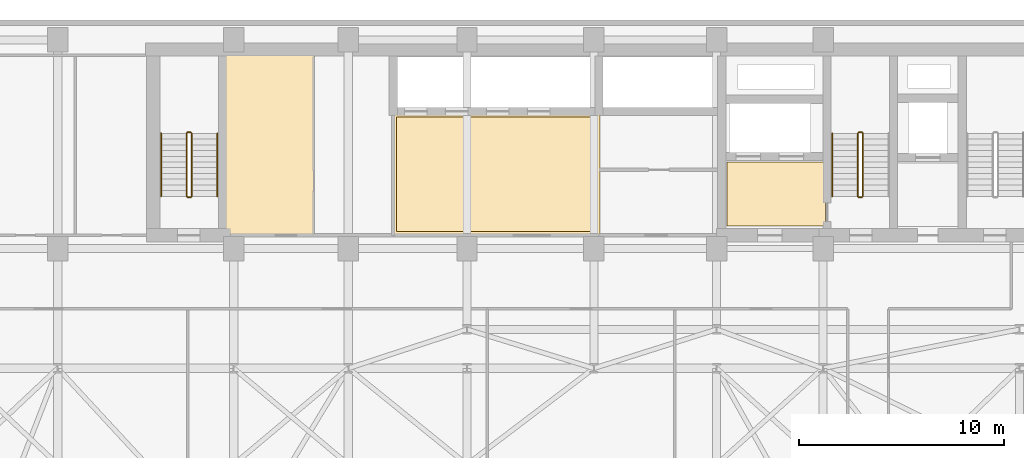
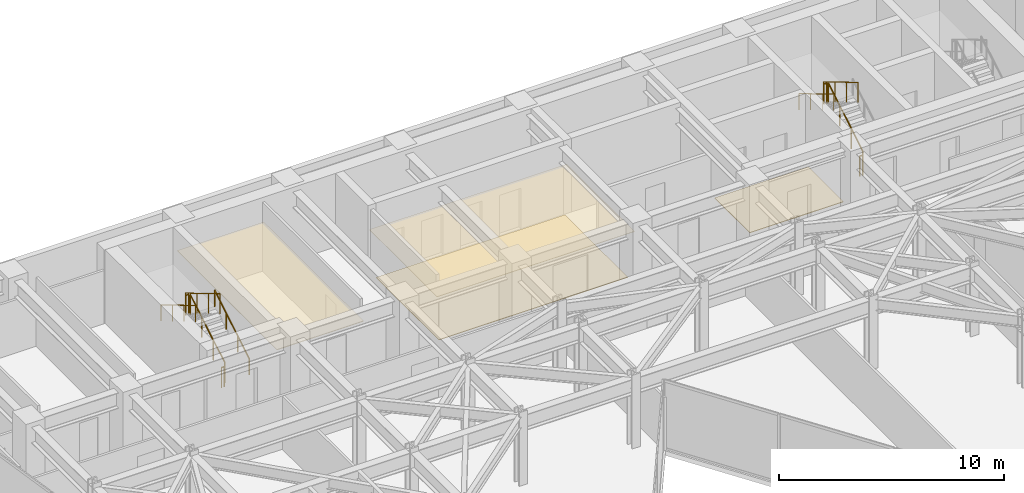
# One storey, part 25 of 26: 11 railings, 4 coverings.
"""IFC4 building model written with IfcOpenShell, lengths in metres."""

from ifc_helpers import new_model, si_unit, direction, frame, origin, origin_2d, place, context, subcontext, project, spatial, polyline, circle, outline, extrude, material, layer, layer_set, type_object, element, save


model = new_model("IFC4")

# Units and contexts
model_context = context("Model", 3, precision=1e-05, world=origin(), true_north=direction((0.0, 1.0)))
body_context = subcontext(model_context, "Body", "Model", "MODEL_VIEW")
ifc_project = project(units=[si_unit("LENGTHUNIT", "METRE"), si_unit("AREAUNIT", "SQUARE_METRE"), si_unit("VOLUMEUNIT", "CUBIC_METRE"), si_unit("PLANEANGLEUNIT", "RADIAN"), si_unit("MASSUNIT", "GRAM", prefix="KILO")], contexts=[model_context])

# Site, building, storey
site_placement = place(None, origin())
site = spatial("IfcSite", under=ifc_project, at=site_placement, CompositionType="ELEMENT")
building_placement = place(site_placement, origin())
building = spatial("IfcBuilding", under=site, at=building_placement, Name="Kravanh Interchange Tower", CompositionType="ELEMENT")
storey_placement = place(building_placement, frame((0.0, 0.0, 108.0)))
storey = spatial("IfcBuildingStorey", under=building, at=storey_placement, Name="L25", CompositionType="ELEMENT", Elevation=108.0)

# Coverings
ifc_material_1 = material(Name="Cementitious Terrazzo Tile")
ifc_layer_1 = layer(ifc_material_1, 0.030029296875)
ifc_layer_set_1 = layer_set([ifc_layer_1], Name="Honed Terrazzo Lobby Flooring 30mm")
covering_type_1 = type_object("IfcCoveringType", Name="Honed Terrazzo Lobby Flooring 30mm", PredefinedType="FLOORING", material=ifc_layer_set_1)
covering_1_placement = place(storey_placement, origin())
element("IfcCovering", 1, at=covering_1_placement, inside=storey, type_object=covering_type_1, Name="L25 Firefighting Lobby Floor Finish", PredefinedType="FLOORING", context=body_context, shape_type="SweptSolid", body=[
    extrude(outline(polyline([(56.1201171875, 38.4599609375), (51.300048828125, 38.4599609375), (51.300048828125, 41.580078125), (56.1201171875, 41.580078125), (56.1201171875, 38.4599609375)])), origin(), (0.0, 0.0, 1.0), 0.030029296875),
])
covering_2_placement = place(storey_placement, origin())
element("IfcCovering", 2, at=covering_2_placement, inside=storey, type_object=covering_type_1, Name="L25 Mid-Rise Lift Lobby Floor Finish", PredefinedType="FLOORING", context=body_context, shape_type="SweptSolid", body=[
    extrude(outline(polyline([(35.159912109375, 43.77001953125), (44.8701171875, 43.77001953125), (44.8701171875, 38.179931640625), (35.159912109375, 38.179931640625), (35.159912109375, 43.77001953125)])), origin(), (0.0, 0.0, 1.0), 0.030029296875),
])
ifc_material_2 = material(Name="Anodised Bronze Aluminium Acoustic Baffle", Category="aluminium")
ifc_layer_2 = layer(ifc_material_2, 0.034912109375)
ifc_layer_set_2 = layer_set([ifc_layer_2], Name="Linear Bronze Baffle Feature Ceiling 35mm")
covering_type_2 = type_object("IfcCoveringType", Name="Linear Bronze Baffle Feature Ceiling 35mm", PredefinedType="CEILING", material=ifc_layer_set_2)
covering_3_placement = place(storey_placement, frame((0.0, 0.0, 2.550048828125)))
element("IfcCovering", 3, at=covering_3_placement, inside=storey, type_object=covering_type_2, Name="L25 Regional IT Server Suite Suspended Ceiling", PredefinedType="CEILING", context=body_context, shape_type="SweptSolid", body=[
    extrude(outline(polyline([(31.159912109375, 37.9599609375), (26.7099609375, 37.9599609375), (26.7099609375, 46.840087890625), (31.159912109375, 46.840087890625), (31.159912109375, 37.9599609375)])), origin(), (0.0, 0.0, 1.0), 0.034912109375),
])
ifc_material_3 = material(Name="Acoustic Mineral Fibre Tile on Aluminium Grid", Category="aluminium")
ifc_layer_3 = layer(ifc_material_3, 0.02490234375)
ifc_layer_set_3 = layer_set([ifc_layer_3], Name="Perforated Acoustic Mineral Ceiling 25mm")
covering_type_3 = type_object("IfcCoveringType", Name="Perforated Acoustic Mineral Ceiling 25mm", PredefinedType="CEILING", material=ifc_layer_set_3)
covering_4_placement = place(storey_placement, frame((0.0, 0.0, 2.550048828125)))
element("IfcCovering", 4, at=covering_4_placement, inside=storey, type_object=covering_type_3, Name="L25 Mid-Rise Lift Lobby Suspended Ceiling", PredefinedType="CEILING", context=body_context, shape_type="SweptSolid", body=[
    extrude(outline(polyline([(45.090087890625, 37.9599609375), (34.93994140625, 37.9599609375), (34.93994140625, 43.989990234375), (45.090087890625, 43.989990234375), (45.090087890625, 37.9599609375)])), origin(), (0.0, 0.0, 1.0), 0.02490234375),
])

# Railings
ifc_material_4 = material(Name="Structural Steel S355", Category="steel")
ifc_layer_4 = layer(ifc_material_4, 0.050048828125)
ifc_layer_set_4 = layer_set([ifc_layer_4], Name="Stair Well Guardrail Structural Steel S355 1100mm")
railing_type_1 = type_object("IfcRailingType", Name="Stair Well Guardrail Structural Steel S355 1100mm", PredefinedType="GUARDRAIL", material=ifc_layer_set_4)
railing_1_placement = place(storey_placement, frame((57.949951171875, 39.89990234375, 0.166748046875)))
element("IfcRailing", 5, at=railing_1_placement, inside=storey, type_object=railing_type_1, Name="L25 ST2 stair guard 1", PredefinedType="GUARDRAIL", context=body_context, shape_type="SweptSolid", body=[
    extrude(circle(Radius=0.02392578125, at=origin_2d()), frame((0.0, 0.0, 1.076171875), z_axis=(0.0, 0.859308565015, 0.511457515432), x_axis=(-1.0, 0.0, 0.0)), (0.0, 0.0, 1.0), 3.58447265625),
    extrude(circle(Radius=0.02099609375, at=origin_2d()), origin(), (0.0, 0.0, 1.0), 1.052001953125),
    extrude(circle(Radius=0.02099609375, at=origin_2d()), frame((0.0, 1.026611328125, 0.611083984375)), (0.0, 0.0, 1.0), 1.052001953125),
    extrude(circle(Radius=0.02099609375, at=origin_2d()), frame((0.0, 2.053466796875, 1.22216796875)), (0.0, 0.0, 1.0), 1.052001953125),
    extrude(circle(Radius=0.02099609375, at=origin_2d()), frame((0.0, 3.080078125, 1.833251953125)), (0.0, 0.0, 1.0), 1.052001953125),
])
railing_2_placement = place(storey_placement, frame((57.89990234375, 43.030029296875, 2.0)))
element("IfcRailing", 6, at=railing_2_placement, inside=storey, type_object=railing_type_1, Name="L25 ST2 stair guard 2", PredefinedType="GUARDRAIL", context=body_context, shape_type="SweptSolid", body=[
    extrude(circle(Radius=0.02392578125, at=origin_2d()), frame((0.0, 0.0, 1.076171875), z_axis=(-1.0, 0.0, 0.0), x_axis=(0.0, -1.0, 0.0)), (0.0, 0.0, 1.0), 0.14990234375),
    extrude(circle(Radius=0.02099609375, at=origin_2d()), origin(), (0.0, 0.0, 1.0), 1.052001953125),
    extrude(circle(Radius=0.02099609375, at=origin_2d()), frame((-0.14990234375, 0.0, 0.0)), (0.0, 0.0, 1.0), 1.052001953125),
])
railing_3_placement = place(storey_placement, frame((57.699951171875, 42.97998046875, 2.166748046875)))
element("IfcRailing", 7, at=railing_3_placement, inside=storey, type_object=railing_type_1, Name="L25 ST2 stair guard 3", PredefinedType="GUARDRAIL", context=body_context, shape_type="SweptSolid", body=[
    extrude(circle(Radius=0.02392578125, at=origin_2d()), frame((0.0, 0.0, 1.076171875), z_axis=(0.0, -0.859308565015, 0.511457515432), x_axis=(1.0, 0.0, 0.0)), (0.0, 0.0, 1.0), 3.58447265625),
    extrude(circle(Radius=0.02099609375, at=origin_2d()), origin(), (0.0, 0.0, 1.0), 1.052001953125),
    extrude(circle(Radius=0.02099609375, at=origin_2d()), frame((0.0, -1.026611328125, 0.611083984375)), (0.0, 0.0, 1.0), 1.052001953125),
    extrude(circle(Radius=0.02099609375, at=origin_2d()), frame((0.0, -2.053466796875, 1.22216796875)), (0.0, 0.0, 1.0), 1.052001953125),
    extrude(circle(Radius=0.02099609375, at=origin_2d()), frame((0.0, -3.080078125, 1.833251953125)), (0.0, 0.0, 1.0), 1.052001953125),
])
railing_4_placement = place(storey_placement, frame((57.89990234375, 39.85009765625, 0.0)))
element("IfcRailing", 8, at=railing_4_placement, inside=storey, type_object=railing_type_1, Name="L25 ST2 stair guard 4", PredefinedType="GUARDRAIL", context=body_context, shape_type="SweptSolid", body=[
    extrude(circle(Radius=0.02392578125, at=origin_2d()), frame((0.0, 0.0, 1.076171875), z_axis=(-1.0, 0.0, 0.0), x_axis=(0.0, -1.0, 0.0)), (0.0, 0.0, 1.0), 0.14990234375),
    extrude(circle(Radius=0.02099609375, at=origin_2d()), origin(), (0.0, 0.0, 1.0), 1.052001953125),
    extrude(circle(Radius=0.02099609375, at=origin_2d()), frame((-0.14990234375, 0.0, 0.0)), (0.0, 0.0, 1.0), 1.052001953125),
])
railing_5_placement = place(storey_placement, frame((25.14990234375, 39.89990234375, 0.166748046875)))
element("IfcRailing", 9, at=railing_5_placement, inside=storey, type_object=railing_type_1, Name="L25 ST3 stair guard 1", PredefinedType="GUARDRAIL", context=body_context, shape_type="SweptSolid", body=[
    extrude(circle(Radius=0.02392578125, at=origin_2d()), frame((0.0, 0.0, 1.076171875), z_axis=(0.0, 0.859308565015, 0.511457515432), x_axis=(-1.0, 0.0, 0.0)), (0.0, 0.0, 1.0), 3.58447265625),
    extrude(circle(Radius=0.02099609375, at=origin_2d()), origin(), (0.0, 0.0, 1.0), 1.052001953125),
    extrude(circle(Radius=0.02099609375, at=origin_2d()), frame((0.0, 1.026611328125, 0.611083984375)), (0.0, 0.0, 1.0), 1.052001953125),
    extrude(circle(Radius=0.02099609375, at=origin_2d()), frame((0.0, 2.053466796875, 1.22216796875)), (0.0, 0.0, 1.0), 1.052001953125),
    extrude(circle(Radius=0.02099609375, at=origin_2d()), frame((0.0, 3.080078125, 1.833251953125)), (0.0, 0.0, 1.0), 1.052001953125),
])
railing_6_placement = place(storey_placement, frame((25.10009765625, 43.030029296875, 2.0)))
element("IfcRailing", 10, at=railing_6_placement, inside=storey, type_object=railing_type_1, Name="L25 ST3 stair guard 2", PredefinedType="GUARDRAIL", context=body_context, shape_type="SweptSolid", body=[
    extrude(circle(Radius=0.02392578125, at=origin_2d()), frame((0.0, 0.0, 1.076171875), z_axis=(-1.0, 0.0, 0.0), x_axis=(0.0, -1.0, 0.0)), (0.0, 0.0, 1.0), 0.150146484375),
    extrude(circle(Radius=0.02099609375, at=origin_2d()), origin(), (0.0, 0.0, 1.0), 1.052001953125),
    extrude(circle(Radius=0.02099609375, at=origin_2d()), frame((-0.150146484375, 0.0, 0.0)), (0.0, 0.0, 1.0), 1.052001953125),
])
railing_7_placement = place(storey_placement, frame((24.89990234375, 42.97998046875, 2.166748046875)))
element("IfcRailing", 11, at=railing_7_placement, inside=storey, type_object=railing_type_1, Name="L25 ST3 stair guard 3", PredefinedType="GUARDRAIL", context=body_context, shape_type="SweptSolid", body=[
    extrude(circle(Radius=0.02392578125, at=origin_2d()), frame((0.0, 0.0, 1.076171875), z_axis=(0.0, -0.859308565015, 0.511457515432), x_axis=(1.0, 0.0, 0.0)), (0.0, 0.0, 1.0), 3.58447265625),
    extrude(circle(Radius=0.02099609375, at=origin_2d()), origin(), (0.0, 0.0, 1.0), 1.052001953125),
    extrude(circle(Radius=0.02099609375, at=origin_2d()), frame((0.0, -1.026611328125, 0.611083984375)), (0.0, 0.0, 1.0), 1.052001953125),
    extrude(circle(Radius=0.02099609375, at=origin_2d()), frame((0.0, -2.053466796875, 1.22216796875)), (0.0, 0.0, 1.0), 1.052001953125),
    extrude(circle(Radius=0.02099609375, at=origin_2d()), frame((0.0, -3.080078125, 1.833251953125)), (0.0, 0.0, 1.0), 1.052001953125),
])
railing_8_placement = place(storey_placement, frame((25.10009765625, 39.85009765625, 0.0)))
element("IfcRailing", 12, at=railing_8_placement, inside=storey, type_object=railing_type_1, Name="L25 ST3 stair guard 4", PredefinedType="GUARDRAIL", context=body_context, shape_type="SweptSolid", body=[
    extrude(circle(Radius=0.02392578125, at=origin_2d()), frame((0.0, 0.0, 1.076171875), z_axis=(-1.0, 0.0, 0.0), x_axis=(0.0, -1.0, 0.0)), (0.0, 0.0, 1.0), 0.150146484375),
    extrude(circle(Radius=0.02099609375, at=origin_2d()), origin(), (0.0, 0.0, 1.0), 1.052001953125),
    extrude(circle(Radius=0.02099609375, at=origin_2d()), frame((-0.150146484375, 0.0, 0.0)), (0.0, 0.0, 1.0), 1.052001953125),
])
ifc_material_5 = material(Name="Stainless Steel 304", Category="steel")
ifc_layer_5 = layer(ifc_material_5, 0.044921875)
ifc_layer_set_5 = layer_set([ifc_layer_5], Name="Tubular Stair Handrail Stainless 304 900mm")
railing_type_2 = type_object("IfcRailingType", Name="Tubular Stair Handrail Stainless 304 900mm", PredefinedType="HANDRAIL", material=ifc_layer_set_5)
railing_9_placement = place(storey_placement, frame((56.449951171875, 42.97998046875, 2.166748046875)))
element("IfcRailing", 13, at=railing_9_placement, inside=storey, type_object=railing_type_2, Name="L25 ST2 stair handrail 2", PredefinedType="HANDRAIL", context=body_context, shape_type="SweptSolid", body=[
    extrude(circle(Radius=0.02392578125, at=origin_2d()), frame((0.0, 0.0, 0.8759765625), z_axis=(0.0, -0.859308565015, 0.511457515432), x_axis=(1.0, 0.0, 0.0)), (0.0, 0.0, 1.0), 3.58447265625),
    extrude(circle(Radius=0.02099609375, at=origin_2d()), origin(), (0.0, 0.0, 1.0), 0.851806640625),
    extrude(circle(Radius=0.02099609375, at=origin_2d()), frame((0.0, -1.026611328125, 0.611083984375)), (0.0, 0.0, 1.0), 0.851806640625),
    extrude(circle(Radius=0.02099609375, at=origin_2d()), frame((0.0, -2.053466796875, 1.22216796875)), (0.0, 0.0, 1.0), 0.851806640625),
    extrude(circle(Radius=0.02099609375, at=origin_2d()), frame((0.0, -3.080078125, 1.833251953125)), (0.0, 0.0, 1.0), 0.851806640625),
])
railing_10_placement = place(storey_placement, frame((26.39990234375, 39.89990234375, 0.166748046875)))
element("IfcRailing", 14, at=railing_10_placement, inside=storey, type_object=railing_type_2, Name="L25 ST3 stair handrail 1", PredefinedType="HANDRAIL", context=body_context, shape_type="SweptSolid", body=[
    extrude(circle(Radius=0.02392578125, at=origin_2d()), frame((0.0, 0.0, 0.8759765625), z_axis=(0.0, 0.859308565015, 0.511457515432), x_axis=(-1.0, 0.0, 0.0)), (0.0, 0.0, 1.0), 3.58447265625),
    extrude(circle(Radius=0.02099609375, at=origin_2d()), origin(), (0.0, 0.0, 1.0), 0.851806640625),
    extrude(circle(Radius=0.02099609375, at=origin_2d()), frame((0.0, 1.026611328125, 0.611083984375)), (0.0, 0.0, 1.0), 0.851806640625),
    extrude(circle(Radius=0.02099609375, at=origin_2d()), frame((0.0, 2.053466796875, 1.22216796875)), (0.0, 0.0, 1.0), 0.851806640625),
    extrude(circle(Radius=0.02099609375, at=origin_2d()), frame((0.0, 3.080078125, 1.833251953125)), (0.0, 0.0, 1.0), 0.851806640625),
])
railing_11_placement = place(storey_placement, frame((23.64990234375, 42.97998046875, 2.166748046875)))
element("IfcRailing", 15, at=railing_11_placement, inside=storey, type_object=railing_type_2, Name="L25 ST3 stair handrail 2", PredefinedType="HANDRAIL", context=body_context, shape_type="SweptSolid", body=[
    extrude(circle(Radius=0.02392578125, at=origin_2d()), frame((0.0, 0.0, 0.8759765625), z_axis=(0.0, -0.859308565015, 0.511457515432), x_axis=(1.0, 0.0, 0.0)), (0.0, 0.0, 1.0), 3.58447265625),
    extrude(circle(Radius=0.02099609375, at=origin_2d()), origin(), (0.0, 0.0, 1.0), 0.851806640625),
    extrude(circle(Radius=0.02099609375, at=origin_2d()), frame((0.0, -1.026611328125, 0.611083984375)), (0.0, 0.0, 1.0), 0.851806640625),
    extrude(circle(Radius=0.02099609375, at=origin_2d()), frame((0.0, -2.053466796875, 1.22216796875)), (0.0, 0.0, 1.0), 0.851806640625),
    extrude(circle(Radius=0.02099609375, at=origin_2d()), frame((0.0, -3.080078125, 1.833251953125)), (0.0, 0.0, 1.0), 0.851806640625),
])

save(model, "model.ifc")
